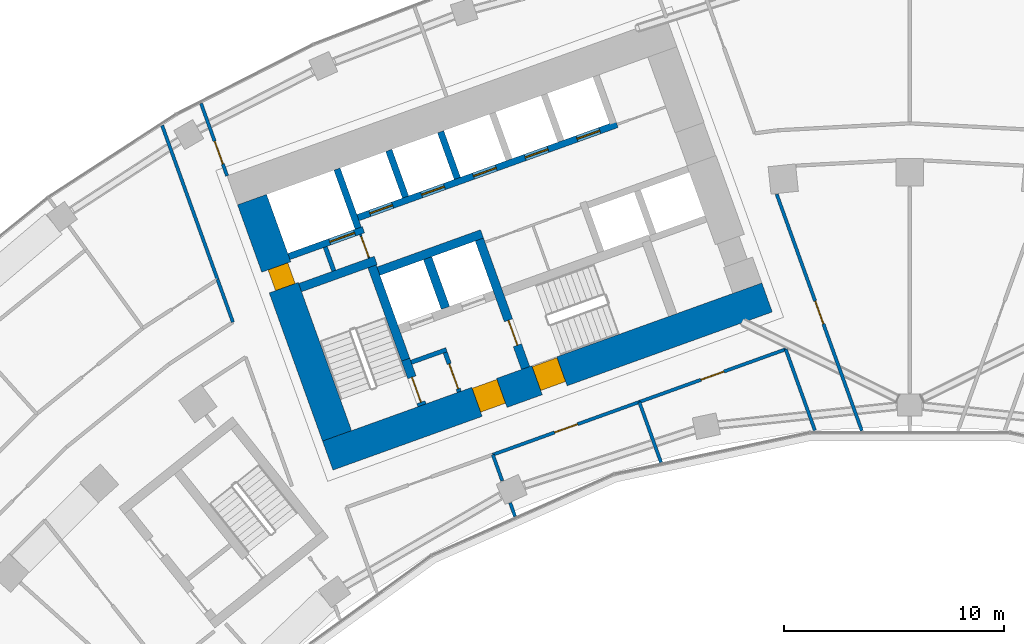
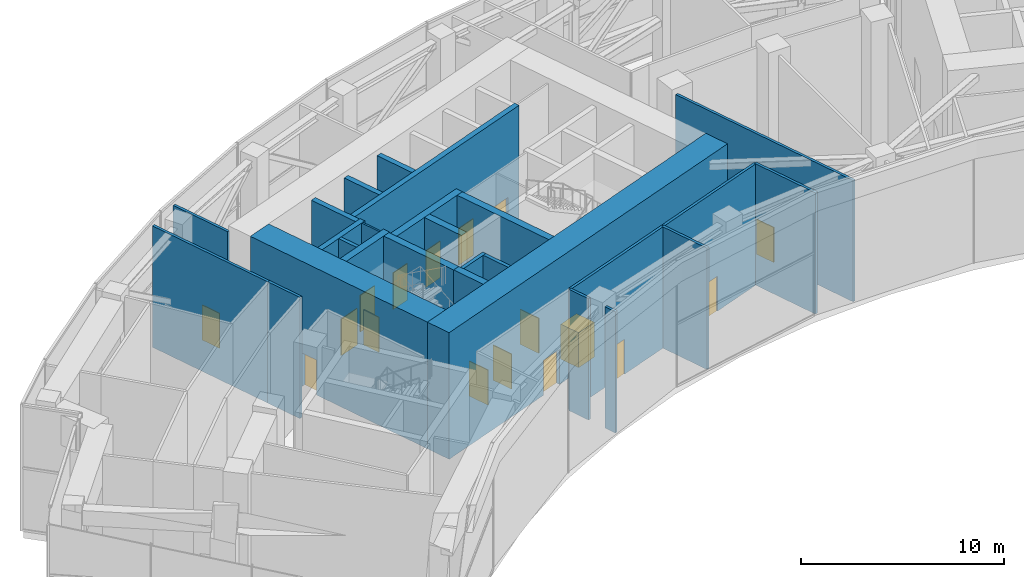
# One storey, part 24 of 32: 27 walls, 17 doors, 17 openings.
"""IFC4 building model written with IfcOpenShell, lengths in metres."""

from ifc_helpers import new_model, si_unit, direction, frame, frame_2d, origin, place, context, subcontext, project, spatial, rectangle, extrude, material, layer, layer_set, type_object, element, fill, save


model = new_model("IFC4")

# Units and contexts
model_context = context("Model", 3, precision=1e-05, world=origin(), true_north=direction((0.0, 1.0)))
body_context = subcontext(model_context, "Body", "Model", "MODEL_VIEW")
ifc_project = project(units=[si_unit("LENGTHUNIT", "METRE"), si_unit("AREAUNIT", "SQUARE_METRE"), si_unit("VOLUMEUNIT", "CUBIC_METRE"), si_unit("PLANEANGLEUNIT", "RADIAN"), si_unit("MASSUNIT", "GRAM", prefix="KILO")], contexts=[model_context])

# Site, building, storey
site_placement = place(None, origin())
site = spatial("IfcSite", under=ifc_project, at=site_placement, CompositionType="ELEMENT")
building_placement = place(site_placement, origin())
building = spatial("IfcBuilding", under=site, at=building_placement, Name="Stone Belt Terrace Tower", CompositionType="ELEMENT")
storey_placement = place(building_placement, frame((0.0, 0.0, 193.39990234375)))
storey = spatial("IfcBuildingStorey", under=building, at=storey_placement, Name="L47", CompositionType="ELEMENT", Elevation=193.39990234375)

# Wall, opening, door
ifc_material_1 = material(Name="Plasterboard partition")
ifc_layer_1 = layer(ifc_material_1, 0.10009765625)
ifc_layer_set_1 = layer_set([ifc_layer_1], Name="Core partition 100")
wall_type_1 = type_object("IfcWallType", Name="Core partition 100", PredefinedType="PARTITIONING", material=ifc_layer_set_1)
wall_1_placement = place(storey_placement, frame((-24.555908203125, 51.10400390625, 0.0), z_axis=(0.0, 0.0, 1.0), x_axis=(-0.338621735342, 0.94092258999, 0.0)))
wall_1 = element("IfcWall", 1, at=wall_1_placement, inside=storey, type_object=wall_type_1, Name="Core A wall", PredefinedType="PARTITIONING", context=body_context, shape_type="SweptSolid", body=[
    extrude(rectangle(XDim=1.14990234375, YDim=0.10009765625, at=frame_2d((0.574951171875, 0.0))), origin(), (0.0, 0.0, 1.0), 7.280029296875),
])
opening_1_placement = place(wall_1_placement, frame((0.050048828125, 0.0, 0.0)))
opening_1 = element("IfcOpeningElement", 2, at=opening_1_placement, cuts=wall_1, Name="Opening L47-C05", PredefinedType="OPENING", context=body_context, shape_type="SweptSolid", body=[
    extrude(rectangle(XDim=1.0, YDim=2.10009765625, at=frame_2d((0.5, 1.050048828125))), frame((0.0, 0.06005859375, 0.0), z_axis=(0.0, -1.0, 0.0), x_axis=(1.0, 0.0, 0.0)), (0.0, 0.0, 1.0), 0.1201171875),
])
ifc_material_2 = material(Name="Timber door leaf", Category="wood")
door_type_1 = type_object("IfcDoorType", Name="Core room door 1000", OperationType="SINGLE_SWING_LEFT", PredefinedType="DOOR", material=ifc_material_2)
door_1_placement = place(opening_1_placement, origin())
door_1 = element("IfcDoor", 3, at=door_1_placement, inside=storey, type_object=door_type_1, Name="Service lift lobby door core A", OperationType="SINGLE_SWING_RIGHT", OverallHeight=2.10009765625, OverallWidth=1.0, PredefinedType="DOOR", context=body_context, shape_type="SweptSolid", body=[
    extrude(rectangle(XDim=1.0, YDim=2.10009765625, at=frame_2d((0.5, 1.050048828125))), frame((0.0, 0.02490234375, 0.0), z_axis=(0.0, -1.0, 0.0), x_axis=(1.0, 0.0, 0.0)), (0.0, 0.0, 1.0), 0.050048828125),
])
fill(opening_1, door_1)

# Wall, openings, doors
ifc_material_3 = material(Name="Concrete B80", Category="concrete")
ifc_layer_2 = layer(ifc_material_3, 1.39990234375)
ifc_layer_set_2 = layer_set([ifc_layer_2], Name="Core wall 1400 B80")
wall_type_2 = type_object("IfcWallType", Name="Core wall 1400 B80", PredefinedType="SHEAR", material=ifc_layer_set_2)
wall_2_placement = place(storey_placement, frame((-26.430908203125, 42.139404296875, 0.0), z_axis=(0.0, 0.0, 1.0), x_axis=(0.940923374003, 0.33861955681, 0.0)))
wall_2 = element("IfcWall", 4, at=wall_2_placement, inside=storey, type_object=wall_type_2, Name="Core A wall concave L47", PredefinedType="SHEAR", context=body_context, shape_type="SweptSolid", body=[
    extrude(rectangle(XDim=21.199951171875, YDim=1.39990234375, at=frame_2d((10.60009765625, 0.0))), origin(), (0.0, 0.0, 1.0), 7.60009765625),
])
opening_2_placement = place(wall_2_placement, frame((7.199951171875, 0.0, 0.0)))
opening_2 = element("IfcOpeningElement", 5, at=opening_2_placement, cuts=wall_2, Name="Opening L47-C09", PredefinedType="OPENING", context=body_context, shape_type="SweptSolid", body=[
    extrude(rectangle(XDim=1.199951171875, YDim=2.10009765625, at=frame_2d((0.60009765625, 1.050048828125))), frame((0.0, 0.7099609375, 0.0), z_axis=(0.0, -1.0, 0.0), x_axis=(1.0, 0.0, 0.0)), (0.0, 0.0, 1.0), 1.419921875),
])
opening_3_placement = place(wall_2_placement, frame((10.099853515625, 0.0, 0.0)))
opening_3 = element("IfcOpeningElement", 6, at=opening_3_placement, cuts=wall_2, Name="Opening L47-C11", PredefinedType="OPENING", context=body_context, shape_type="SweptSolid", body=[
    extrude(rectangle(XDim=1.199951171875, YDim=2.10009765625, at=frame_2d((0.60009765625, 1.050048828125))), frame((0.0, 0.7099609375, 0.0), z_axis=(0.0, -1.0, 0.0), x_axis=(1.0, 0.0, 0.0)), (0.0, 0.0, 1.0), 1.419921875),
])
ifc_material_4 = material(Name="Steel door leaf", Category="steel")
door_type_2 = type_object("IfcDoorType", Name="Fire-fighting lobby door 1200", OperationType="SINGLE_SWING_LEFT", PredefinedType="DOOR", material=ifc_material_4)
door_2_placement = place(opening_2_placement, origin())
door_2 = element("IfcDoor", 7, at=door_2_placement, inside=storey, type_object=door_type_2, Name="Fire-fighting lobby door core A", OperationType="SINGLE_SWING_RIGHT", OverallHeight=2.10009765625, OverallWidth=1.199951171875, PredefinedType="DOOR", context=body_context, shape_type="SweptSolid", body=[
    extrude(rectangle(XDim=1.199951171875, YDim=2.10009765625, at=frame_2d((0.60009765625, 1.050048828125))), frame((0.0, 0.655029296875, 0.0), z_axis=(0.0, -1.0, 0.0), x_axis=(1.0, 0.0, 0.0)), (0.0, 0.0, 1.0), 1.14990234375),
])
fill(opening_2, door_2)
door_type_3 = type_object("IfcDoorType", Name="Stair door 1200", OperationType="SINGLE_SWING_LEFT", PredefinedType="DOOR", material=ifc_material_4)
door_3_placement = place(opening_3_placement, origin())
door_3 = element("IfcDoor", 8, at=door_3_placement, inside=storey, type_object=door_type_3, Name="Stair 2 exit door core A", OperationType="SINGLE_SWING_LEFT", OverallHeight=2.10009765625, OverallWidth=1.199951171875, PredefinedType="DOOR", context=body_context, shape_type="SweptSolid", body=[
    extrude(rectangle(XDim=1.199951171875, YDim=2.10009765625, at=frame_2d((0.60009765625, 1.050048828125))), frame((0.0, 0.655029296875, 0.0), z_axis=(0.0, -1.0, 0.0), x_axis=(1.0, 0.0, 0.0)), (0.0, 0.0, 1.0), 1.14990234375),
])
fill(opening_3, door_3)

# Wall, opening, door
wall_3_placement = place(storey_placement, frame((-26.00927734375, 43.03515625, 0.0), z_axis=(0.0, 0.0, 1.0), x_axis=(-0.338625431531, 0.940921259788, 0.0)))
wall_3 = element("IfcWall", 9, at=wall_3_placement, inside=storey, type_object=wall_type_2, Name="Core A wall end_a L47", PredefinedType="SHEAR", context=body_context, shape_type="SweptSolid", body=[
    extrude(rectangle(XDim=11.400146484375, YDim=1.39990234375, at=frame_2d((5.7001953125, 0.0))), origin(), (0.0, 0.0, 1.0), 7.60009765625),
])
opening_4_placement = place(wall_3_placement, frame((7.14990234375, 0.0, 0.0)))
opening_4 = element("IfcOpeningElement", 10, at=opening_4_placement, cuts=wall_3, Name="Opening L47-C04", PredefinedType="OPENING", context=body_context, shape_type="SweptSolid", body=[
    extrude(rectangle(XDim=1.0, YDim=2.10009765625, at=frame_2d((0.5, 1.050048828125))), frame((0.0, 0.7099609375, 0.0), z_axis=(0.0, -1.0, 0.0), x_axis=(1.0, 0.0, 0.0)), (0.0, 0.0, 1.0), 1.419921875),
])
door_4_placement = place(opening_4_placement, origin())
door_4 = element("IfcDoor", 11, at=door_4_placement, inside=storey, type_object=door_type_1, Name="Door to Plant riser room core A", OperationType="SINGLE_SWING_LEFT", OverallHeight=2.10009765625, OverallWidth=1.0, PredefinedType="DOOR", context=body_context, shape_type="SweptSolid", body=[
    extrude(rectangle(XDim=1.0, YDim=2.10009765625, at=frame_2d((0.5, 1.050048828125))), frame((0.0, 0.39501953125, 0.0), z_axis=(0.0, -1.0, 0.0), x_axis=(1.0, 0.0, 0.0)), (0.0, 0.0, 1.0), 0.949951171875),
])
fill(opening_4, door_4)

# Walls
ifc_layer_3 = layer(ifc_material_3, 0.39990234375)
ifc_layer_set_3 = layer_set([ifc_layer_3], Name="Fire-fighting lift shaft wall 400")
wall_type_3 = type_object("IfcWallType", Name="Fire-fighting lift shaft wall 400", PredefinedType="SHEAR", material=ifc_layer_set_3)
wall_4_placement = place(storey_placement, frame((-24.130615234375, 50.512939453125, 0.0), z_axis=(0.0, 0.0, 1.0), x_axis=(0.94091168377, 0.338652038744, 0.0)))
element("IfcWall", 12, at=wall_4_placement, inside=storey, type_object=wall_type_3, Name="Core A wall", PredefinedType="SHEAR", context=body_context, shape_type="SweptSolid", body=[
    extrude(rectangle(XDim=5.000244140625, YDim=0.39990234375, at=frame_2d((2.5, 0.0))), origin(), (0.0, 0.0, 1.0), 7.280029296875),
])
wall_5_placement = place(storey_placement, frame((-21.0859375, 48.845458984375, 0.0), z_axis=(0.0, 0.0, 1.0), x_axis=(-0.338629416206, 0.940919825745, 0.0)))
element("IfcWall", 13, at=wall_5_placement, inside=storey, type_object=wall_type_3, Name="Core A wall", PredefinedType="SHEAR", context=body_context, shape_type="SweptSolid", body=[
    extrude(rectangle(XDim=2.400146484375, YDim=0.39990234375, at=frame_2d((1.2001953125, 0.0))), origin(), (0.0, 0.0, 1.0), 7.280029296875),
])

# Wall, opening, door
ifc_layer_4 = layer(ifc_material_3, 0.300048828125)
ifc_layer_set_4 = layer_set([ifc_layer_4], Name="Lift shaft wall 300")
wall_type_4 = type_object("IfcWallType", Name="Lift shaft wall 300", PredefinedType="SHEAR", material=ifc_layer_set_4)
wall_6_placement = place(storey_placement, frame((-28.195068359375, 51.17578125, 0.0), z_axis=(0.0, 0.0, 1.0), x_axis=(0.940901243567, 0.338681044427, 0.0)))
wall_6 = element("IfcWall", 14, at=wall_6_placement, inside=storey, type_object=wall_type_4, Name="Core A wall", PredefinedType="SHEAR", context=body_context, shape_type="SweptSolid", body=[
    extrude(rectangle(XDim=3.599853515625, YDim=0.300048828125, at=frame_2d((1.7998046875, 0.0))), origin(), (0.0, 0.0, 1.0), 7.280029296875),
])
opening_5_placement = place(wall_6_placement, frame((1.969970703125, 0.0, 0.0)))
opening_5 = element("IfcOpeningElement", 15, at=opening_5_placement, cuts=wall_6, Name="Opening L47-LD08", PredefinedType="OPENING", context=body_context, shape_type="SweptSolid", body=[
    extrude(rectangle(XDim=1.199951171875, YDim=2.199951171875, at=frame_2d((0.60009765625, 1.10009765625))), frame((0.0, 0.159912109375, 0.0), z_axis=(0.0, -1.0, 0.0), x_axis=(1.0, 0.0, 0.0)), (0.0, 0.0, 1.0), 0.320068359375),
])
ifc_material_5 = material(Name="Stainless steel door leaf", Category="steel")
door_type_4 = type_object("IfcDoorType", Name="Landing door 1200", OperationType="SLIDING_TO_LEFT", PredefinedType="DOOR", material=ifc_material_5)
door_5_placement = place(opening_5_placement, origin())
door_5 = element("IfcDoor", 16, at=door_5_placement, inside=storey, type_object=door_type_4, Name="Landing door SV1 core A", OperationType="SLIDING_TO_LEFT", OverallHeight=2.199951171875, OverallWidth=1.199951171875, PredefinedType="DOOR", context=body_context, shape_type="SweptSolid", body=[
    extrude(rectangle(XDim=1.199951171875, YDim=2.199951171875, at=frame_2d((0.60009765625, 1.10009765625))), frame((0.0, 0.02490234375, 0.0), z_axis=(0.0, -1.0, 0.0), x_axis=(1.0, 0.0, 0.0)), (0.0, 0.0, 1.0), 0.050048828125),
])
fill(opening_5, door_5)

# Wall
wall_7_placement = place(storey_placement, frame((-25.046875, 52.46826171875, 0.0), z_axis=(0.0, 0.0, 1.0), x_axis=(-0.338549588058, 0.940948551423, 0.0)))
element("IfcWall", 17, at=wall_7_placement, inside=storey, type_object=wall_type_4, Name="Core A wall", PredefinedType="SHEAR", context=body_context, shape_type="SweptSolid", body=[
    extrude(rectangle(XDim=2.849853515625, YDim=0.300048828125, at=frame_2d((1.4248046875, 0.0))), origin(), (0.0, 0.0, 1.0), 7.280029296875),
])

# Wall, openings, doors
wall_8_placement = place(storey_placement, frame((-25.05810546875, 52.9423828125, 0.0), z_axis=(0.0, 0.0, 1.0), x_axis=(0.940920770291, 0.338626791666, 0.0)))
wall_8 = element("IfcWall", 18, at=wall_8_placement, inside=storey, type_object=wall_type_4, Name="Core A wall", PredefinedType="SHEAR", context=body_context, shape_type="SweptSolid", body=[
    extrude(rectangle(XDim=12.500244140625, YDim=0.300048828125, at=frame_2d((6.25, 0.0))), origin(), (0.0, 0.0, 1.0), 7.280029296875),
])
opening_6_placement = place(wall_8_placement, frame((0.570068359375, 0.0, 0.0)))
opening_6 = element("IfcOpeningElement", 19, at=opening_6_placement, cuts=wall_8, Name="Opening L47-LD01", PredefinedType="OPENING", context=body_context, shape_type="SweptSolid", body=[
    extrude(rectangle(XDim=1.10009765625, YDim=2.199951171875, at=frame_2d((0.550048828125, 1.10009765625))), frame((0.0, 0.159912109375, 0.0), z_axis=(0.0, -1.0, 0.0), x_axis=(1.0, 0.0, 0.0)), (0.0, 0.0, 1.0), 0.320068359375),
])
opening_7_placement = place(wall_8_placement, frame((3.070068359375, 0.0, 0.0)))
opening_7 = element("IfcOpeningElement", 20, at=opening_7_placement, cuts=wall_8, Name="Opening L47-LD02", PredefinedType="OPENING", context=body_context, shape_type="SweptSolid", body=[
    extrude(rectangle(XDim=1.10009765625, YDim=2.199951171875, at=frame_2d((0.550048828125, 1.10009765625))), frame((0.0, 0.159912109375, 0.0), z_axis=(0.0, -1.0, 0.0), x_axis=(1.0, 0.0, 0.0)), (0.0, 0.0, 1.0), 0.320068359375),
])
opening_8_placement = place(wall_8_placement, frame((5.570068359375, 0.0, 0.0)))
opening_8 = element("IfcOpeningElement", 21, at=opening_8_placement, cuts=wall_8, Name="Opening L47-LD03", PredefinedType="OPENING", context=body_context, shape_type="SweptSolid", body=[
    extrude(rectangle(XDim=1.10009765625, YDim=2.199951171875, at=frame_2d((0.550048828125, 1.10009765625))), frame((0.0, 0.159912109375, 0.0), z_axis=(0.0, -1.0, 0.0), x_axis=(1.0, 0.0, 0.0)), (0.0, 0.0, 1.0), 0.320068359375),
])
opening_9_placement = place(wall_8_placement, frame((8.070068359375, 0.0, 0.0)))
opening_9 = element("IfcOpeningElement", 22, at=opening_9_placement, cuts=wall_8, Name="Opening L47-LD04", PredefinedType="OPENING", context=body_context, shape_type="SweptSolid", body=[
    extrude(rectangle(XDim=1.10009765625, YDim=2.199951171875, at=frame_2d((0.550048828125, 1.10009765625))), frame((0.0, 0.159912109375, 0.0), z_axis=(0.0, -1.0, 0.0), x_axis=(1.0, 0.0, 0.0)), (0.0, 0.0, 1.0), 0.320068359375),
])
opening_10_placement = place(wall_8_placement, frame((10.570068359375, 0.0, 0.0)))
opening_10 = element("IfcOpeningElement", 23, at=opening_10_placement, cuts=wall_8, Name="Opening L47-LD05", PredefinedType="OPENING", context=body_context, shape_type="SweptSolid", body=[
    extrude(rectangle(XDim=1.10009765625, YDim=2.199951171875, at=frame_2d((0.550048828125, 1.10009765625))), frame((0.0, 0.159912109375, 0.0), z_axis=(0.0, -1.0, 0.0), x_axis=(1.0, 0.0, 0.0)), (0.0, 0.0, 1.0), 0.320068359375),
])
door_type_5 = type_object("IfcDoorType", Name="Landing door 1100", OperationType="SLIDING_TO_LEFT", PredefinedType="DOOR", material=ifc_material_5)
door_6_placement = place(opening_6_placement, origin())
door_6 = element("IfcDoor", 24, at=door_6_placement, inside=storey, type_object=door_type_5, Name="Landing door MR1 core A", OperationType="SLIDING_TO_LEFT", OverallHeight=2.199951171875, OverallWidth=1.10009765625, PredefinedType="DOOR", context=body_context, shape_type="SweptSolid", body=[
    extrude(rectangle(XDim=1.10009765625, YDim=2.199951171875, at=frame_2d((0.550048828125, 1.10009765625))), frame((0.0, 0.02490234375, 0.0), z_axis=(0.0, -1.0, 0.0), x_axis=(1.0, 0.0, 0.0)), (0.0, 0.0, 1.0), 0.050048828125),
])
fill(opening_6, door_6)
door_7_placement = place(opening_7_placement, origin())
door_7 = element("IfcDoor", 25, at=door_7_placement, inside=storey, type_object=door_type_5, Name="Landing door MR2 core A", OperationType="SLIDING_TO_LEFT", OverallHeight=2.199951171875, OverallWidth=1.10009765625, PredefinedType="DOOR", context=body_context, shape_type="SweptSolid", body=[
    extrude(rectangle(XDim=1.10009765625, YDim=2.199951171875, at=frame_2d((0.550048828125, 1.10009765625))), frame((0.0, 0.02490234375, 0.0), z_axis=(0.0, -1.0, 0.0), x_axis=(1.0, 0.0, 0.0)), (0.0, 0.0, 1.0), 0.050048828125),
])
fill(opening_7, door_7)
door_8_placement = place(opening_8_placement, origin())
door_8 = element("IfcDoor", 26, at=door_8_placement, inside=storey, type_object=door_type_5, Name="Landing door MR3 core A", OperationType="SLIDING_TO_LEFT", OverallHeight=2.199951171875, OverallWidth=1.10009765625, PredefinedType="DOOR", context=body_context, shape_type="SweptSolid", body=[
    extrude(rectangle(XDim=1.10009765625, YDim=2.199951171875, at=frame_2d((0.550048828125, 1.10009765625))), frame((0.0, 0.02490234375, 0.0), z_axis=(0.0, -1.0, 0.0), x_axis=(1.0, 0.0, 0.0)), (0.0, 0.0, 1.0), 0.050048828125),
])
fill(opening_8, door_8)
door_9_placement = place(opening_9_placement, origin())
door_9 = element("IfcDoor", 27, at=door_9_placement, inside=storey, type_object=door_type_5, Name="Landing door MR4 core A", OperationType="SLIDING_TO_LEFT", OverallHeight=2.199951171875, OverallWidth=1.10009765625, PredefinedType="DOOR", context=body_context, shape_type="SweptSolid", body=[
    extrude(rectangle(XDim=1.10009765625, YDim=2.199951171875, at=frame_2d((0.550048828125, 1.10009765625))), frame((0.0, 0.02490234375, 0.0), z_axis=(0.0, -1.0, 0.0), x_axis=(1.0, 0.0, 0.0)), (0.0, 0.0, 1.0), 0.050048828125),
])
fill(opening_9, door_9)
door_10_placement = place(opening_10_placement, origin())
door_10 = element("IfcDoor", 28, at=door_10_placement, inside=storey, type_object=door_type_5, Name="Landing door MR5 core A", OperationType="SLIDING_TO_LEFT", OverallHeight=2.199951171875, OverallWidth=1.10009765625, PredefinedType="DOOR", context=body_context, shape_type="SweptSolid", body=[
    extrude(rectangle(XDim=1.10009765625, YDim=2.199951171875, at=frame_2d((0.550048828125, 1.10009765625))), frame((0.0, 0.02490234375, 0.0), z_axis=(0.0, -1.0, 0.0), x_axis=(1.0, 0.0, 0.0)), (0.0, 0.0, 1.0), 0.050048828125),
])
fill(opening_10, door_10)

# Walls
wall_9_placement = place(storey_placement, frame((-22.897705078125, 53.87939453125, 0.0), z_axis=(0.0, 0.0, 1.0), x_axis=(-0.338535034312, 0.940953787677, 0.0)))
element("IfcWall", 29, at=wall_9_placement, inside=storey, type_object=wall_type_4, Name="Core A wall", PredefinedType="SHEAR", context=body_context, shape_type="SweptSolid", body=[
    extrude(rectangle(XDim=2.25, YDim=0.300048828125, at=frame_2d((1.125, 0.0))), origin(), (0.0, 0.0, 1.0), 7.280029296875),
])
wall_10_placement = place(storey_placement, frame((-20.54541015625, 54.72607421875, 0.0), z_axis=(0.0, 0.0, 1.0), x_axis=(-0.338569601369, 0.940941350472, 0.0)))
element("IfcWall", 30, at=wall_10_placement, inside=storey, type_object=wall_type_4, Name="Core A wall", PredefinedType="SHEAR", context=body_context, shape_type="SweptSolid", body=[
    extrude(rectangle(XDim=2.249755859375, YDim=0.300048828125, at=frame_2d((1.125, 0.0))), origin(), (0.0, 0.0, 1.0), 7.280029296875),
])

# Wall, opening, door
ifc_material_6 = material(Name="Gypsum board partition")
ifc_layer_5 = layer(ifc_material_6, 0.14990234375)
ifc_layer_set_5 = layer_set([ifc_layer_5], Name="PARTITION 150 EI 60")
wall_type_5 = type_object("IfcWallType", Name="PARTITION 150 EI 60", PredefinedType="PARTITIONING", material=ifc_layer_set_5)
wall_11_placement = place(storey_placement, frame((-32.185791015625, 58.131103515625, 0.0), z_axis=(0.0, 0.0, 1.0), x_axis=(0.338662585219, -0.940907887826, 0.0)))
wall_11 = element("IfcWall", 31, at=wall_11_placement, inside=storey, type_object=wall_type_5, Name="L47/wall/i002", PredefinedType="PARTITIONING", context=body_context, shape_type="SweptSolid", body=[
    extrude(rectangle(XDim=3.49560546875, YDim=0.14990234375, at=frame_2d((1.747802734375, 0.0))), origin(), (0.0, 0.0, 1.0), 7.280029296875),
])
opening_11_placement = place(wall_11_placement, frame((1.826416015625, 0.0, 0.0)))
opening_11 = element("IfcOpeningElement", 32, at=opening_11_placement, cuts=wall_11, Name="Opening D-T3-04", PredefinedType="OPENING", context=body_context, shape_type="SweptSolid", body=[
    extrude(rectangle(XDim=1.10009765625, YDim=2.10009765625, at=frame_2d((0.550048828125, 1.050048828125))), frame((0.0, 0.0849609375, 0.0), z_axis=(0.0, -1.0, 0.0), x_axis=(1.0, 0.0, 0.0)), (0.0, 0.0, 1.0), 0.169921875),
])
ifc_material_7 = material(Name="Steel fire door set", Category="steel")
door_type_6 = type_object("IfcDoorType", Name="SERVICE ROOM DOOR 1100 X 2100", OperationType="NOTDEFINED", PredefinedType="DOOR", material=ifc_material_7)
door_11_placement = place(opening_11_placement, origin())
door_11 = element("IfcDoor", 33, at=door_11_placement, inside=storey, type_object=door_type_6, Name="L47/door/i04", OperationType="SINGLE_SWING_RIGHT", OverallHeight=2.10009765625, OverallWidth=1.10009765625, PredefinedType="DOOR", context=body_context, shape_type="SweptSolid", body=[
    extrude(rectangle(XDim=1.10009765625, YDim=2.10009765625, at=frame_2d((0.550048828125, 1.050048828125))), frame((0.0, 0.02490234375, 0.0), z_axis=(0.0, -1.0, 0.0), x_axis=(1.0, 0.0, 0.0)), (0.0, 0.0, 1.0), 0.050048828125),
])
fill(opening_11, door_11)

# Walls
wall_12_placement = place(storey_placement, frame((-30.737060546875, 48.197021484375, 0.0), z_axis=(0.0, 0.0, 1.0), x_axis=(-0.338522672426, 0.940958235127, 0.0)))
element("IfcWall", 34, at=wall_12_placement, inside=storey, type_object=wall_type_5, Name="L47/wall/i006", PredefinedType="PARTITIONING", context=body_context, shape_type="SweptSolid", body=[
    extrude(rectangle(XDim=2.064697265625, YDim=0.14990234375, at=frame_2d((1.0322265625, 0.0))), origin(), (0.0, 0.0, 1.0), 7.280029296875),
])
wall_13_placement = place(storey_placement, frame((-31.431884765625, 50.12890625, 0.0), z_axis=(0.0, 0.0, 1.0), x_axis=(-0.338627692375, 0.940920446136, 0.0)))
element("IfcWall", 35, at=wall_13_placement, inside=storey, type_object=wall_type_5, Name="L47/wall/i007", PredefinedType="PARTITIONING", context=body_context, shape_type="SweptSolid", body=[
    extrude(rectangle(XDim=7.44189453125, YDim=0.14990234375, at=frame_2d((3.720947265625, 0.0))), origin(), (0.0, 0.0, 1.0), 7.280029296875),
])
wall_14_placement = place(storey_placement, frame((-4.31005859375, 43.27783203125, 0.0), z_axis=(0.0, 0.0, 1.0), x_axis=(-0.338490436495, 0.940969831823, 0.0)))
element("IfcWall", 36, at=wall_14_placement, inside=storey, type_object=wall_type_5, Name="L47/wall/i008", PredefinedType="PARTITIONING", context=body_context, shape_type="SweptSolid", body=[
    extrude(rectangle(XDim=3.92578125, YDim=0.14990234375, at=frame_2d((1.962890625, 0.0))), origin(), (0.0, 0.0, 1.0), 7.280029296875),
])

# Wall, opening, door
wall_15_placement = place(storey_placement, frame((-6.046875, 54.0087890625, 0.0), z_axis=(0.0, 0.0, 1.0), x_axis=(0.338658916341, -0.940909208363, 0.0)))
wall_15 = element("IfcWall", 37, at=wall_15_placement, inside=storey, type_object=wall_type_5, Name="L47/wall/i010", PredefinedType="PARTITIONING", context=body_context, shape_type="SweptSolid", body=[
    extrude(rectangle(XDim=11.422119140625, YDim=0.14990234375, at=frame_2d((5.7109375, 0.0))), origin(), (0.0, 0.0, 1.0), 7.280029296875),
])
opening_12_placement = place(wall_15_placement, frame((5.1611328125, 0.0, 0.0)))
opening_12 = element("IfcOpeningElement", 38, at=opening_12_placement, cuts=wall_15, Name="Opening D-T3-26", PredefinedType="OPENING", context=body_context, shape_type="SweptSolid", body=[
    extrude(rectangle(XDim=1.10009765625, YDim=2.10009765625, at=frame_2d((0.550048828125, 1.050048828125))), frame((0.0, 0.0849609375, 0.0), z_axis=(0.0, -1.0, 0.0), x_axis=(1.0, 0.0, 0.0)), (0.0, 0.0, 1.0), 0.169921875),
])
door_12_placement = place(opening_12_placement, origin())
door_12 = element("IfcDoor", 39, at=door_12_placement, inside=storey, type_object=door_type_6, Name="L47/door/i26", OperationType="SINGLE_SWING_RIGHT", OverallHeight=2.10009765625, OverallWidth=1.10009765625, PredefinedType="DOOR", context=body_context, shape_type="SweptSolid", body=[
    extrude(rectangle(XDim=1.10009765625, YDim=2.10009765625, at=frame_2d((0.550048828125, 1.050048828125))), frame((0.0, 0.02490234375, 0.0), z_axis=(0.0, -1.0, 0.0), x_axis=(1.0, 0.0, 0.0)), (0.0, 0.0, 1.0), 0.050048828125),
])
fill(opening_12, door_12)

wall_16_placement = place(storey_placement, frame((-12.280029296875, 44.574951171875, 0.0), z_axis=(0.0, 0.0, 1.0), x_axis=(-0.940930050063, -0.338601005444, 0.0)))
wall_16 = element("IfcWall", 40, at=wall_16_placement, inside=storey, type_object=wall_type_5, Name="L47/wall/i013", PredefinedType="PARTITIONING", context=body_context, shape_type="SweptSolid", body=[
    extrude(rectangle(XDim=7.0791015625, YDim=0.14990234375, at=frame_2d((3.53955078125, 0.0))), origin(), (0.0, 0.0, 1.0), 7.280029296875),
])
opening_13_placement = place(wall_16_placement, frame((2.989501953125, 0.0, 0.0)))
opening_13 = element("IfcOpeningElement", 41, at=opening_13_placement, cuts=wall_16, Name="Opening D-T3-02", PredefinedType="OPENING", context=body_context, shape_type="SweptSolid", body=[
    extrude(rectangle(XDim=1.10009765625, YDim=2.10009765625, at=frame_2d((0.550048828125, 1.050048828125))), frame((0.0, 0.0849609375, 0.0), z_axis=(0.0, -1.0, 0.0), x_axis=(1.0, 0.0, 0.0)), (0.0, 0.0, 1.0), 0.169921875),
])
door_13_placement = place(opening_13_placement, origin())
door_13 = element("IfcDoor", 42, at=door_13_placement, inside=storey, type_object=door_type_6, Name="L47/door/i02", OperationType="SINGLE_SWING_RIGHT", OverallHeight=2.10009765625, OverallWidth=1.10009765625, PredefinedType="DOOR", context=body_context, shape_type="SweptSolid", body=[
    extrude(rectangle(XDim=1.10009765625, YDim=2.10009765625, at=frame_2d((0.550048828125, 1.050048828125))), frame((0.0, 0.02490234375, 0.0), z_axis=(0.0, -1.0, 0.0), x_axis=(1.0, 0.0, 0.0)), (0.0, 0.0, 1.0), 0.050048828125),
])
fill(opening_13, door_13)

wall_17_placement = place(storey_placement, frame((-5.636962890625, 46.966064453125, 0.0), z_axis=(0.0, 0.0, 1.0), x_axis=(-0.940923049066, -0.338620459714, 0.0)))
wall_17 = element("IfcWall", 43, at=wall_17_placement, inside=storey, type_object=wall_type_5, Name="L47/wall/i014", PredefinedType="PARTITIONING", context=body_context, shape_type="SweptSolid", body=[
    extrude(rectangle(XDim=7.07275390625, YDim=0.14990234375, at=frame_2d((3.536376953125, 0.0))), origin(), (0.0, 0.0, 1.0), 7.280029296875),
])
opening_14_placement = place(wall_17_placement, frame((2.986328125, 0.0, 0.0)))
opening_14 = element("IfcOpeningElement", 44, at=opening_14_placement, cuts=wall_17, Name="Opening D-T3-03", PredefinedType="OPENING", context=body_context, shape_type="SweptSolid", body=[
    extrude(rectangle(XDim=1.10009765625, YDim=2.10009765625, at=frame_2d((0.550048828125, 1.050048828125))), frame((0.0, 0.0849609375, 0.0), z_axis=(0.0, -1.0, 0.0), x_axis=(1.0, 0.0, 0.0)), (0.0, 0.0, 1.0), 0.169921875),
])
door_14_placement = place(opening_14_placement, origin())
door_14 = element("IfcDoor", 45, at=door_14_placement, inside=storey, type_object=door_type_6, Name="L47/door/i03", OperationType="SINGLE_SWING_RIGHT", OverallHeight=2.10009765625, OverallWidth=1.10009765625, PredefinedType="DOOR", context=body_context, shape_type="SweptSolid", body=[
    extrude(rectangle(XDim=1.10009765625, YDim=2.10009765625, at=frame_2d((0.550048828125, 1.050048828125))), frame((0.0, 0.02490234375, 0.0), z_axis=(0.0, -1.0, 0.0), x_axis=(1.0, 0.0, 0.0)), (0.0, 0.0, 1.0), 0.050048828125),
])
fill(opening_14, door_14)

# Walls
wall_18_placement = place(storey_placement, frame((-18.93505859375, 42.179931640625, 0.0), z_axis=(0.0, 0.0, 1.0), x_axis=(0.338575757839, -0.940939135228, 0.0)))
element("IfcWall", 46, at=wall_18_placement, inside=storey, type_object=wall_type_5, Name="L47/wall/i015", PredefinedType="PARTITIONING", context=body_context, shape_type="SweptSolid", body=[
    extrude(rectangle(XDim=1.263427734375, YDim=0.14990234375, at=frame_2d((0.6318359375, 0.0))), origin(), (0.0, 0.0, 1.0), 7.280029296875),
])
wall_19_placement = place(storey_placement, frame((-18.147705078125, 39.990966796875, 0.0), z_axis=(0.0, 0.0, 1.0), x_axis=(0.338838262821, -0.94084463736, 0.0)))
element("IfcWall", 47, at=wall_19_placement, inside=storey, type_object=wall_type_5, Name="L47/wall/i016", PredefinedType="PARTITIONING", context=body_context, shape_type="SweptSolid", body=[
    extrude(rectangle(XDim=0.655029296875, YDim=0.14990234375, at=frame_2d((0.32763671875, 0.0))), origin(), (0.0, 0.0, 1.0), 7.280029296875),
])
wall_20_placement = place(storey_placement, frame((-12.285888671875, 44.572998046875, 0.0), z_axis=(0.0, 0.0, 1.0), x_axis=(0.33837582911, -0.94101105109, 0.0)))
element("IfcWall", 48, at=wall_20_placement, inside=storey, type_object=wall_type_5, Name="L47/wall/i017", PredefinedType="PARTITIONING", context=body_context, shape_type="SweptSolid", body=[
    extrude(rectangle(XDim=2.91845703125, YDim=0.14990234375, at=frame_2d((1.459228515625, 0.0))), origin(), (0.0, 0.0, 1.0), 7.280029296875),
])
ifc_material_8 = material(Name="Concrete masonry block", Category="masonry")
ifc_layer_6 = layer(ifc_material_8, 0.199951171875)
ifc_layer_set_6 = layer_set([ifc_layer_6], Name="Rated lobby wall 200")
wall_type_6 = type_object("IfcWallType", Name="Rated lobby wall 200", PredefinedType="PARTITIONING", material=ifc_layer_set_6)
wall_21_placement = place(storey_placement, frame((-26.1552734375, 50.5283203125, 0.0), z_axis=(0.0, 0.0, 1.0), x_axis=(-0.338621735342, 0.94092258999, 0.0)))
element("IfcWall", 49, at=wall_21_placement, inside=storey, type_object=wall_type_6, Name="Core A wall", PredefinedType="PARTITIONING", context=body_context, shape_type="SweptSolid", body=[
    extrude(rectangle(XDim=1.14990234375, YDim=0.199951171875, at=frame_2d((0.574951171875, 0.0))), origin(), (0.0, 0.0, 1.0), 7.280029296875),
])
wall_22_placement = place(storey_placement, frame((-22.640625, 46.373046875, 0.0), z_axis=(0.0, 0.0, 1.0), x_axis=(0.940966110313, 0.338500781747, 0.0)))
element("IfcWall", 50, at=wall_22_placement, inside=storey, type_object=wall_type_6, Name="Core A wall", PredefinedType="PARTITIONING", context=body_context, shape_type="SweptSolid", body=[
    extrude(rectangle(XDim=1.699951171875, YDim=0.199951171875, at=frame_2d((0.85009765625, 0.0))), origin(), (0.0, 0.0, 1.0), 7.280029296875),
])

# Wall, opening, door
wall_23_placement = place(storey_placement, frame((-20.4580078125, 45.032958984375, 0.0), z_axis=(0.0, 0.0, 1.0), x_axis=(-0.338573865316, 0.940939816208, 0.0)))
wall_23 = element("IfcWall", 51, at=wall_23_placement, inside=storey, type_object=wall_type_6, Name="Core A wall", PredefinedType="PARTITIONING", context=body_context, shape_type="SweptSolid", body=[
    extrude(rectangle(XDim=1.900146484375, YDim=0.199951171875, at=frame_2d((0.9501953125, 0.0))), origin(), (0.0, 0.0, 1.0), 7.280029296875),
])
opening_15_placement = place(wall_23_placement, frame((0.14990234375, 0.0, 0.0)))
opening_15 = element("IfcOpeningElement", 52, at=opening_15_placement, cuts=wall_23, Name="Opening L47-C08", PredefinedType="OPENING", context=body_context, shape_type="SweptSolid", body=[
    extrude(rectangle(XDim=1.199951171875, YDim=2.10009765625, at=frame_2d((0.60009765625, 1.050048828125))), frame((0.0, 0.10986328125, 0.0), z_axis=(0.0, -1.0, 0.0), x_axis=(1.0, 0.0, 0.0)), (0.0, 0.0, 1.0), 0.219970703125),
])
door_15_placement = place(opening_15_placement, origin())
door_15 = element("IfcDoor", 53, at=door_15_placement, inside=storey, type_object=door_type_3, Name="Stair airlock door core A", OperationType="SINGLE_SWING_RIGHT", OverallHeight=2.10009765625, OverallWidth=1.199951171875, PredefinedType="DOOR", context=body_context, shape_type="SweptSolid", body=[
    extrude(rectangle(XDim=1.199951171875, YDim=2.10009765625, at=frame_2d((0.60009765625, 1.050048828125))), frame((0.0, 0.02490234375, 0.0), z_axis=(0.0, -1.0, 0.0), x_axis=(1.0, 0.0, 0.0)), (0.0, 0.0, 1.0), 0.050048828125),
])
fill(opening_15, door_15)

# Wall
ifc_layer_7 = layer(ifc_material_3, 0.39990234375)
ifc_layer_set_7 = layer_set([ifc_layer_7], Name="Stair enclosure wall 400")
wall_type_7 = type_object("IfcWallType", Name="Stair enclosure wall 400", PredefinedType="SHEAR", material=ifc_layer_set_7)
wall_24_placement = place(storey_placement, frame((-27.687255859375, 49.764404296875, 0.0), z_axis=(0.0, 0.0, 1.0), x_axis=(0.940918954884, 0.338631835981, 0.0)))
element("IfcWall", 54, at=wall_24_placement, inside=storey, type_object=wall_type_7, Name="Core A wall", PredefinedType="SHEAR", context=body_context, shape_type="SweptSolid", body=[
    extrude(rectangle(XDim=3.650146484375, YDim=0.39990234375, at=frame_2d((1.8251953125, 0.0))), origin(), (0.0, 0.0, 1.0), 7.280029296875),
])

# Wall, opening, door
wall_25_placement = place(storey_placement, frame((-22.151611328125, 44.42333984375, 0.0), z_axis=(0.0, 0.0, 1.0), x_axis=(-0.338577997708, 0.940938329259, 0.0)))
wall_25 = element("IfcWall", 55, at=wall_25_placement, inside=storey, type_object=wall_type_7, Name="Core A wall", PredefinedType="SHEAR", context=body_context, shape_type="SweptSolid", body=[
    extrude(rectangle(XDim=2.199951171875, YDim=0.39990234375, at=frame_2d((1.10009765625, 0.0))), origin(), (0.0, 0.0, 1.0), 7.280029296875),
])
opening_16_placement = place(wall_25_placement, frame((0.14990234375, 0.0, 0.0)))
opening_16 = element("IfcOpeningElement", 56, at=opening_16_placement, cuts=wall_25, Name="Opening L47-C07", PredefinedType="OPENING", context=body_context, shape_type="SweptSolid", body=[
    extrude(rectangle(XDim=1.199951171875, YDim=2.10009765625, at=frame_2d((0.60009765625, 1.050048828125))), frame((0.0, 0.2099609375, 0.0), z_axis=(0.0, -1.0, 0.0), x_axis=(1.0, 0.0, 0.0)), (0.0, 0.0, 1.0), 0.419921875),
])
door_16_placement = place(opening_16_placement, origin())
door_16 = element("IfcDoor", 57, at=door_16_placement, inside=storey, type_object=door_type_3, Name="Stair 1 door core A", OperationType="SINGLE_SWING_RIGHT", OverallHeight=2.10009765625, OverallWidth=1.199951171875, PredefinedType="DOOR", context=body_context, shape_type="SweptSolid", body=[
    extrude(rectangle(XDim=1.199951171875, YDim=2.10009765625, at=frame_2d((0.60009765625, 1.050048828125))), frame((0.0, 0.02490234375, 0.0), z_axis=(0.0, -1.0, 0.0), x_axis=(1.0, 0.0, 0.0)), (0.0, 0.0, 1.0), 0.050048828125),
])
fill(opening_16, door_16)

# Wall
wall_26_placement = place(storey_placement, frame((-22.896484375, 46.493408203125, 0.0), z_axis=(0.0, 0.0, 1.0), x_axis=(-0.338648384874, 0.940912998859, 0.0)))
element("IfcWall", 58, at=wall_26_placement, inside=storey, type_object=wall_type_7, Name="Core A wall", PredefinedType="SHEAR", context=body_context, shape_type="SweptSolid", body=[
    extrude(rectangle(XDim=4.5, YDim=0.39990234375, at=frame_2d((2.25, 0.0))), origin(), (0.0, 0.0, 1.0), 7.280029296875),
])

# Wall, opening, door
wall_27_placement = place(storey_placement, frame((-17.447021484375, 46.116455078125, 0.0), z_axis=(0.0, 0.0, 1.0), x_axis=(-0.33860791464, 0.940927563707, 0.0)))
wall_27 = element("IfcWall", 59, at=wall_27_placement, inside=storey, type_object=wall_type_7, Name="Core A wall", PredefinedType="SHEAR", context=body_context, shape_type="SweptSolid", body=[
    extrude(rectangle(XDim=6.199951171875, YDim=0.39990234375, at=frame_2d((3.10009765625, 0.0))), origin(), (0.0, 0.0, 1.0), 7.280029296875),
])
opening_17_placement = place(wall_27_placement, frame((1.10009765625, 0.0, 0.0)))
opening_17 = element("IfcOpeningElement", 60, at=opening_17_placement, cuts=wall_27, Name="Opening L47-C10", PredefinedType="OPENING", context=body_context, shape_type="SweptSolid", body=[
    extrude(rectangle(XDim=1.199951171875, YDim=2.10009765625, at=frame_2d((0.60009765625, 1.050048828125))), frame((0.0, 0.2099609375, 0.0), z_axis=(0.0, -1.0, 0.0), x_axis=(1.0, 0.0, 0.0)), (0.0, 0.0, 1.0), 0.419921875),
])
door_17_placement = place(opening_17_placement, origin())
door_17 = element("IfcDoor", 61, at=door_17_placement, inside=storey, type_object=door_type_3, Name="Stair 2 door core A", OperationType="SINGLE_SWING_RIGHT", OverallHeight=2.10009765625, OverallWidth=1.199951171875, PredefinedType="DOOR", context=body_context, shape_type="SweptSolid", body=[
    extrude(rectangle(XDim=1.199951171875, YDim=2.10009765625, at=frame_2d((0.60009765625, 1.050048828125))), frame((0.0, 0.02490234375, 0.0), z_axis=(0.0, -1.0, 0.0), x_axis=(1.0, 0.0, 0.0)), (0.0, 0.0, 1.0), 0.050048828125),
])
fill(opening_17, door_17)

save(model, "model.ifc")
